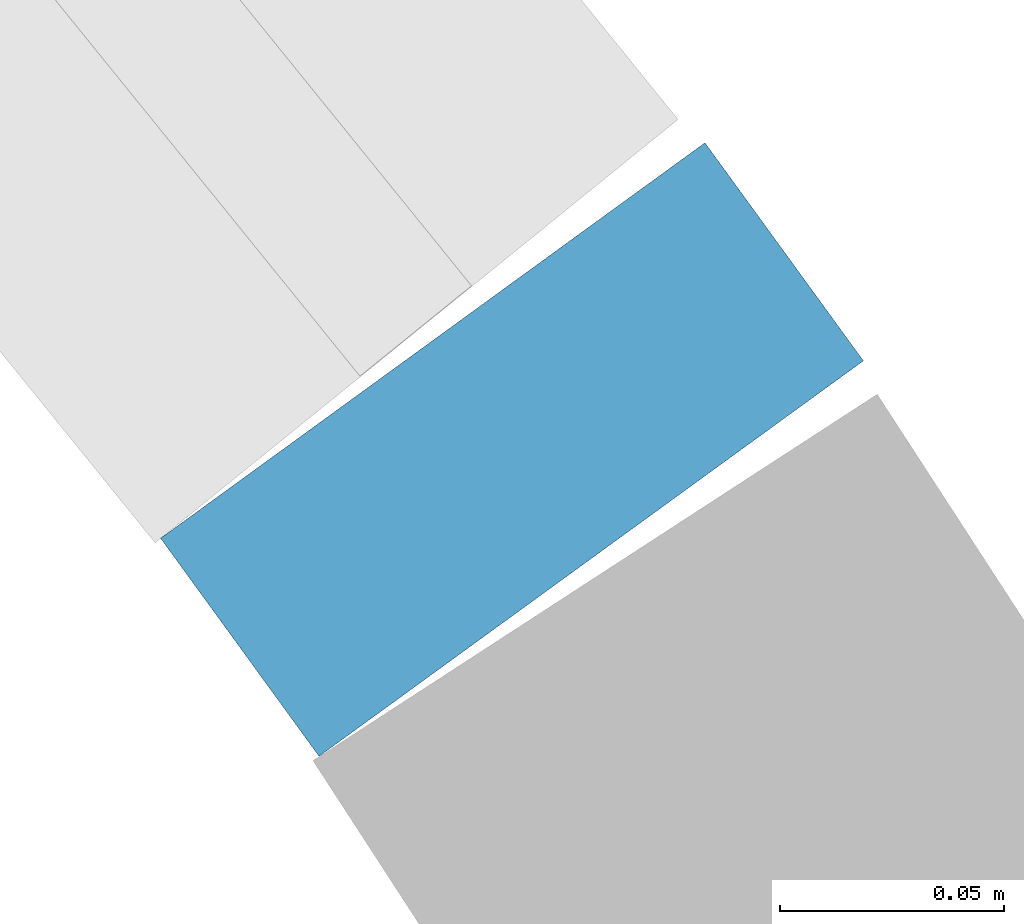
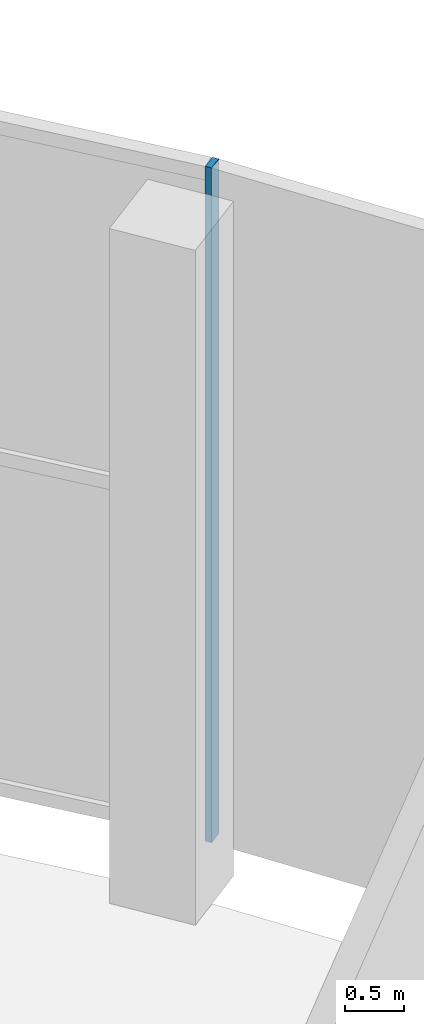
# One storey, part 17 of 60: 1 member, 1 element without a shape of its own.
"""IFC4 building model written with IfcOpenShell, lengths in metres."""

from ifc_helpers import new_model, si_unit, direction, frame, origin, origin_2d, place, context, subcontext, project, spatial, rectangle, extrude, material, layer, layer_set, material_profile, profile_set, type_object, element, aggregate, save


model = new_model("IFC4")

# Units and contexts
model_context = context("Model", 3, precision=1e-05, world=origin(), true_north=direction((0.0, 1.0)))
body_context = subcontext(model_context, "Body", "Model", "MODEL_VIEW")
ifc_project = project(units=[si_unit("LENGTHUNIT", "METRE"), si_unit("AREAUNIT", "SQUARE_METRE"), si_unit("VOLUMEUNIT", "CUBIC_METRE"), si_unit("PLANEANGLEUNIT", "RADIAN"), si_unit("MASSUNIT", "GRAM", prefix="KILO")], contexts=[model_context])

# Site, building, storey
site_placement = place(None, origin())
site = spatial("IfcSite", under=ifc_project, at=site_placement, CompositionType="ELEMENT")
building_placement = place(site_placement, origin())
building = spatial("IfcBuilding", under=site, at=building_placement, Name="Stone Belt Terrace Tower", CompositionType="ELEMENT")
storey_placement = place(building_placement, origin())
storey = spatial("IfcBuildingStorey", under=building, at=storey_placement, Name="L00", CompositionType="ELEMENT", Elevation=0.0)

# Curtain wall, member
ifc_material = material(Name="Aluminium 6063-T6 anodised frame", Category="aluminium")
ifc_layer = layer(ifc_material, 0.14990234375)
ifc_layer_set = layer_set([ifc_layer], Name="CW-D podium shopfront")
curtain_wall_type = type_object("IfcCurtainWallType", Name="CW-D podium shopfront", PredefinedType="NOTDEFINED", material=ifc_layer_set)
curtain_wall_placement = place(storey_placement, origin())
curtain_wall = element("IfcCurtainWall", 1, at=curtain_wall_placement, inside=storey, type_object=curtain_wall_type, Name="CW-D convex face L00", PredefinedType="NOTDEFINED")
ifc_material_profile = material_profile(ifc_material, rectangle(XDim=0.14990234375, YDim=0.06005859375, at=origin_2d()), Name="Aluminium 6063-T6 60x150")
ifc_profile_set = profile_set([ifc_material_profile], Name="Aluminium 6063-T6 anodised frame")
member_type = type_object("IfcMemberType", Name="CW-D mullion 60 x 150", PredefinedType="MULLION", material=ifc_profile_set)
member_placement = place(storey_placement, frame((60.33251953125, 43.834228515625, 0.0), z_axis=(0.0, 0.0, 1.0), x_axis=(-0.809016994375, -0.587785252292, 0.0)))
member = element("IfcMember", 2, at=member_placement, type_object=member_type, Name="CW-D mullion 4", PredefinedType="MULLION", context=body_context, shape_type="SweptSolid", body=[
    extrude(rectangle(XDim=0.14990234375, YDim=0.06005859375, at=origin_2d()), origin(), (0.0, 0.0, 1.0), 7.0),
])
aggregate(curtain_wall, [member])

save(model, "model.ifc")
